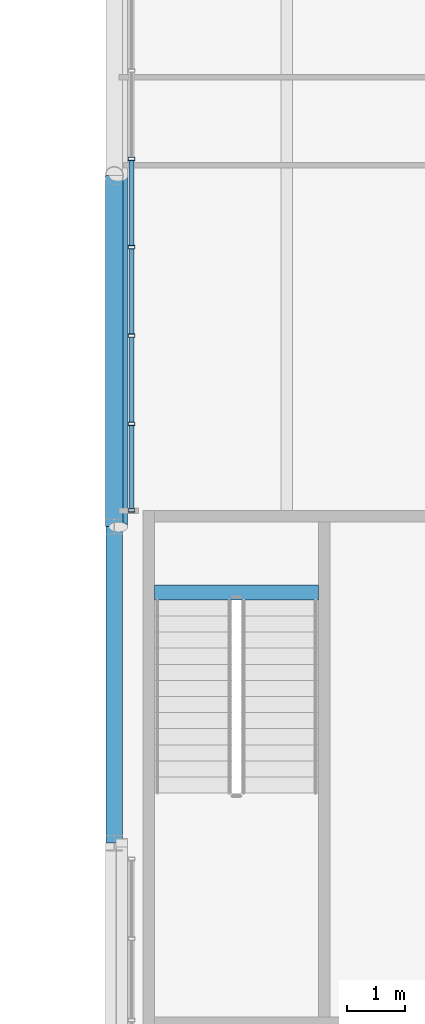
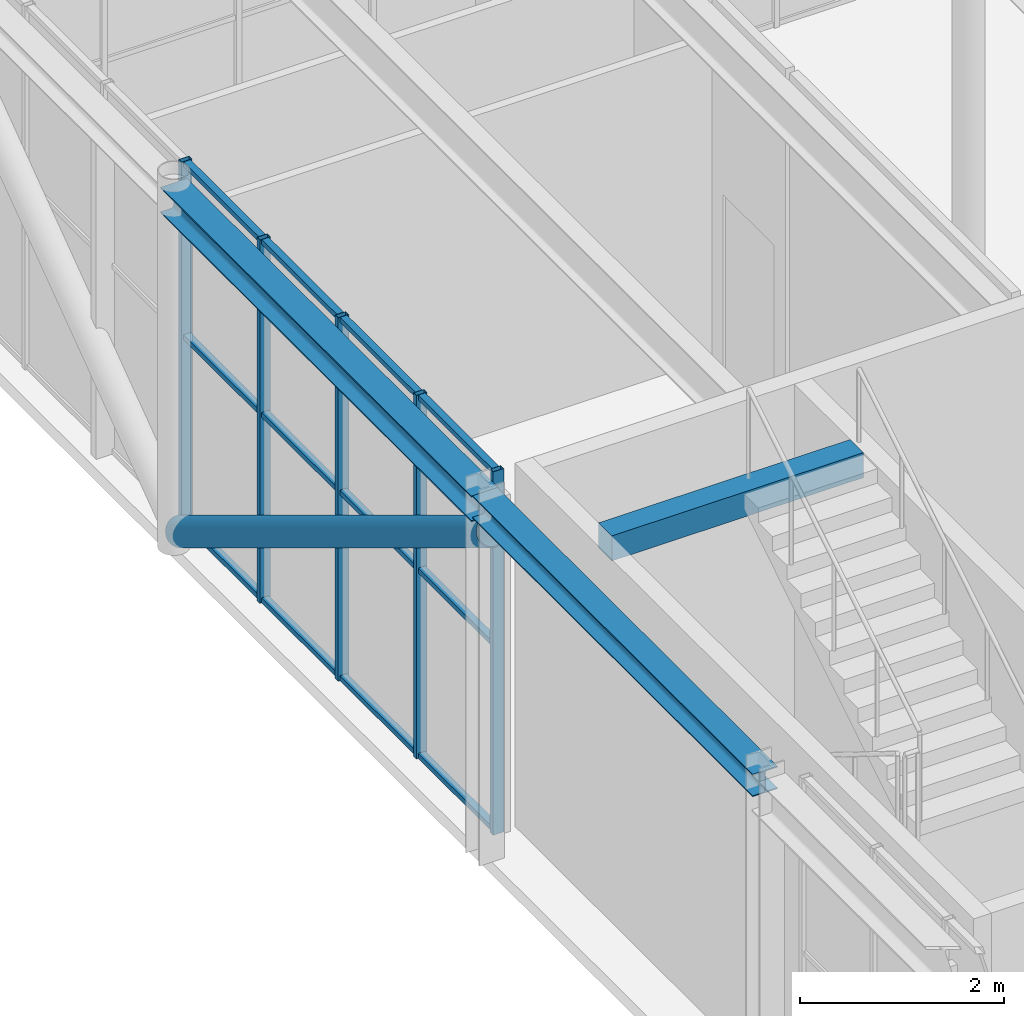
# One storey, part 21 of 70: 18 members, 3 beams, 1 element without a shape of its own.
"""IFC4 building model written with IfcOpenShell, lengths in metres."""

from ifc_helpers import new_model, si_unit, direction, frame, origin, origin_2d, place, context, subcontext, project, spatial, rectangle, hollow_rectangle, hollow_circle, i_section, extrude, material, layer, layer_set, material_profile, profile_set, type_object, element, aggregate, save


model = new_model("IFC4")

# Units and contexts
model_context = context("Model", 3, precision=1e-05, world=origin(), true_north=direction((0.0, 1.0)))
body_context = subcontext(model_context, "Body", "Model", "MODEL_VIEW")
ifc_project = project(units=[si_unit("LENGTHUNIT", "METRE"), si_unit("AREAUNIT", "SQUARE_METRE"), si_unit("VOLUMEUNIT", "CUBIC_METRE"), si_unit("PLANEANGLEUNIT", "RADIAN"), si_unit("MASSUNIT", "GRAM", prefix="KILO")], contexts=[model_context])

# Site, building, storey
site_placement = place(None, origin())
site = spatial("IfcSite", under=ifc_project, at=site_placement, CompositionType="ELEMENT")
building_placement = place(site_placement, origin())
building = spatial("IfcBuilding", under=site, at=building_placement, Name="Kallimachos Central Library", CompositionType="ELEMENT")
storey_placement = place(building_placement, frame((0.0, 0.0, 18.89990234375)))
storey = spatial("IfcBuildingStorey", under=building, at=storey_placement, Name="L04", CompositionType="ELEMENT", Elevation=18.89990234375)

# Member
ifc_material_1 = material(Name="Steel S355J2H", Category="steel")
ifc_material_profile_1 = material_profile(ifc_material_1, hollow_circle(Radius=0.161865234375, WallThickness=0.012451171875, at=origin_2d()), Name="CHS 323.9x12.5")
ifc_profile_set_1 = profile_set([ifc_material_profile_1], Name="Steel S355J2H")
member_type_1 = type_object("IfcMemberType", Name="CHS 323.9x12.5 brace", PredefinedType="BRACE", material=ifc_profile_set_1)
member_1_placement = place(storey_placement, frame((65.572998046875, 110.5, 3.85009765625), z_axis=(0.0, 0.855016223334, -0.518601251286), x_axis=(-1.0, 0.0, 0.0)))
element("IfcMember", 1, at=member_1_placement, inside=storey, type_object=member_type_1, Name="Cantilever truss diagonal 65.5 L04.1", PredefinedType="BRACE", context=body_context, shape_type="SweptSolid", body=[
    extrude(hollow_circle(Radius=0.161865234375, WallThickness=0.012451171875, at=origin_2d()), origin(), (0.0, 0.0, 1.0), 7.134521484375),
])

# Curtain wall, members
ifc_material_2 = material(Name="Anodised aluminium and laminated glass", Category="aluminium")
ifc_layer = layer(ifc_material_2, 0.159912109375)
ifc_layer_set = layer_set([ifc_layer], Name="Glass box curtain wall")
curtain_wall_type = type_object("IfcCurtainWallType", Name="Glass box curtain wall", PredefinedType="NOTDEFINED", material=ifc_layer_set)
curtain_wall_placement = place(storey_placement, origin())
curtain_wall = element("IfcCurtainWall", 2, at=curtain_wall_placement, inside=storey, type_object=curtain_wall_type, Name="Glass box curtain wall W L04", PredefinedType="NOTDEFINED")
ifc_material_3 = material(Name="Anodised aluminium", Category="aluminium")
ifc_material_profile_2 = material_profile(ifc_material_3, hollow_rectangle(XDim=0.06005859375, YDim=0.1201171875, WallThickness=0.00390625, at=origin_2d()), Name="ALU MULLION 60x120")
ifc_profile_set_2 = profile_set([ifc_material_profile_2], Name="Anodised aluminium")
member_type_2 = type_object("IfcMemberType", Name="Glass box mullion 60x120", PredefinedType="MULLION", material=ifc_profile_set_2)
member_2_placement = place(storey_placement, frame((65.800048828125, 110.780029296875, 0.0), z_axis=(0.0, 0.0, 1.0), x_axis=(0.0, 1.0, 0.0)))
member_2 = element("IfcMember", 3, at=member_2_placement, type_object=member_type_2, Name="CW31 mullion 1", PredefinedType="MULLION", context=body_context, shape_type="SweptSolid", body=[
    extrude(hollow_rectangle(XDim=0.06005859375, YDim=0.1201171875, WallThickness=0.00390625, at=origin_2d()), origin(), (0.0, 0.0, 1.0), 4.35009765625),
])
member_3_placement = place(storey_placement, frame((65.800048828125, 112.28564453125, 0.0), z_axis=(0.0, 0.0, 1.0), x_axis=(0.0, 1.0, 0.0)))
member_3 = element("IfcMember", 4, at=member_3_placement, type_object=member_type_2, Name="CW31 mullion 2", PredefinedType="MULLION", context=body_context, shape_type="SweptSolid", body=[
    extrude(hollow_rectangle(XDim=0.06005859375, YDim=0.1201171875, WallThickness=0.00390625, at=origin_2d()), origin(), (0.0, 0.0, 1.0), 4.35009765625),
])
member_4_placement = place(storey_placement, frame((65.800048828125, 113.821533203125, 0.0), z_axis=(0.0, 0.0, 1.0), x_axis=(0.0, 1.0, 0.0)))
member_4 = element("IfcMember", 5, at=member_4_placement, type_object=member_type_2, Name="CW31 mullion 3", PredefinedType="MULLION", context=body_context, shape_type="SweptSolid", body=[
    extrude(hollow_rectangle(XDim=0.06005859375, YDim=0.1201171875, WallThickness=0.00390625, at=origin_2d()), origin(), (0.0, 0.0, 1.0), 4.35009765625),
])
member_5_placement = place(storey_placement, frame((65.800048828125, 115.357177734375, 0.0), z_axis=(0.0, 0.0, 1.0), x_axis=(0.0, 1.0, 0.0)))
member_5 = element("IfcMember", 6, at=member_5_placement, type_object=member_type_2, Name="CW31 mullion 4", PredefinedType="MULLION", context=body_context, shape_type="SweptSolid", body=[
    extrude(hollow_rectangle(XDim=0.06005859375, YDim=0.1201171875, WallThickness=0.00390625, at=origin_2d()), origin(), (0.0, 0.0, 1.0), 4.35009765625),
])
member_6_placement = place(storey_placement, frame((65.800048828125, 116.892822265625, 0.0), z_axis=(0.0, 0.0, 1.0), x_axis=(0.0, 1.0, 0.0)))
member_6 = element("IfcMember", 7, at=member_6_placement, type_object=member_type_2, Name="CW31 mullion 5", PredefinedType="MULLION", context=body_context, shape_type="SweptSolid", body=[
    extrude(hollow_rectangle(XDim=0.06005859375, YDim=0.1201171875, WallThickness=0.00390625, at=origin_2d()), origin(), (0.0, 0.0, 1.0), 4.35009765625),
])
ifc_material_4 = material(Name="Anodised aluminium", Category="aluminium")
ifc_material_profile_3 = material_profile(ifc_material_4, hollow_rectangle(XDim=0.06005859375, YDim=0.080078125, WallThickness=0.00390625, at=origin_2d()), Name="ALU TRANSOM 60x80")
ifc_profile_set_3 = profile_set([ifc_material_profile_3], Name="Anodised aluminium")
member_type_3 = type_object("IfcMemberType", Name="Glass box transom 60x80", PredefinedType="USERDEFINED", material=ifc_profile_set_3)
member_7_placement = place(storey_placement, frame((65.800048828125, 110.81005859375, 0.030029296875), z_axis=(0.0, 1.0, 0.0), x_axis=(0.0, 0.0, 1.0)))
member_7 = element("IfcMember", 8, at=member_7_placement, type_object=member_type_3, Name="CW31 transom 1.1", ObjectType="TRANSOM", PredefinedType="USERDEFINED", context=body_context, shape_type="SweptSolid", body=[
    extrude(hollow_rectangle(XDim=0.06005859375, YDim=0.080078125, WallThickness=0.00390625, at=origin_2d()), origin(), (0.0, 0.0, 1.0), 1.445556640625),
])
member_8_placement = place(storey_placement, frame((65.800048828125, 110.81005859375, 2.25), z_axis=(0.0, 1.0, 0.0), x_axis=(0.0, 0.0, 1.0)))
member_8 = element("IfcMember", 9, at=member_8_placement, type_object=member_type_3, Name="CW31 transom 1.2", ObjectType="TRANSOM", PredefinedType="USERDEFINED", context=body_context, shape_type="SweptSolid", body=[
    extrude(hollow_rectangle(XDim=0.06005859375, YDim=0.080078125, WallThickness=0.00390625, at=origin_2d()), origin(), (0.0, 0.0, 1.0), 1.445556640625),
])
member_9_placement = place(storey_placement, frame((65.800048828125, 110.81005859375, 4.320068359375), z_axis=(0.0, 1.0, 0.0), x_axis=(0.0, 0.0, 1.0)))
member_9 = element("IfcMember", 10, at=member_9_placement, type_object=member_type_3, Name="CW31 transom 1.3", ObjectType="TRANSOM", PredefinedType="USERDEFINED", context=body_context, shape_type="SweptSolid", body=[
    extrude(hollow_rectangle(XDim=0.06005859375, YDim=0.080078125, WallThickness=0.00390625, at=origin_2d()), origin(), (0.0, 0.0, 1.0), 1.445556640625),
])
member_10_placement = place(storey_placement, frame((65.800048828125, 112.315673828125, 0.030029296875), z_axis=(0.0, 1.0, 0.0), x_axis=(0.0, 0.0, 1.0)))
member_10 = element("IfcMember", 11, at=member_10_placement, type_object=member_type_3, Name="CW31 transom 2.1", ObjectType="TRANSOM", PredefinedType="USERDEFINED", context=body_context, shape_type="SweptSolid", body=[
    extrude(hollow_rectangle(XDim=0.06005859375, YDim=0.080078125, WallThickness=0.00390625, at=origin_2d()), origin(), (0.0, 0.0, 1.0), 1.475830078125),
])
member_11_placement = place(storey_placement, frame((65.800048828125, 112.315673828125, 2.25), z_axis=(0.0, 1.0, 0.0), x_axis=(0.0, 0.0, 1.0)))
member_11 = element("IfcMember", 12, at=member_11_placement, type_object=member_type_3, Name="CW31 transom 2.2", ObjectType="TRANSOM", PredefinedType="USERDEFINED", context=body_context, shape_type="SweptSolid", body=[
    extrude(hollow_rectangle(XDim=0.06005859375, YDim=0.080078125, WallThickness=0.00390625, at=origin_2d()), origin(), (0.0, 0.0, 1.0), 1.475830078125),
])
member_12_placement = place(storey_placement, frame((65.800048828125, 112.315673828125, 4.320068359375), z_axis=(0.0, 1.0, 0.0), x_axis=(0.0, 0.0, 1.0)))
member_12 = element("IfcMember", 13, at=member_12_placement, type_object=member_type_3, Name="CW31 transom 2.3", ObjectType="TRANSOM", PredefinedType="USERDEFINED", context=body_context, shape_type="SweptSolid", body=[
    extrude(hollow_rectangle(XDim=0.06005859375, YDim=0.080078125, WallThickness=0.00390625, at=origin_2d()), origin(), (0.0, 0.0, 1.0), 1.475830078125),
])
member_13_placement = place(storey_placement, frame((65.800048828125, 113.851318359375, 0.030029296875), z_axis=(0.0, 1.0, 0.0), x_axis=(0.0, 0.0, 1.0)))
member_13 = element("IfcMember", 14, at=member_13_placement, type_object=member_type_3, Name="CW31 transom 3.1", ObjectType="TRANSOM", PredefinedType="USERDEFINED", context=body_context, shape_type="SweptSolid", body=[
    extrude(hollow_rectangle(XDim=0.06005859375, YDim=0.080078125, WallThickness=0.00390625, at=origin_2d()), origin(), (0.0, 0.0, 1.0), 1.475830078125),
])
member_14_placement = place(storey_placement, frame((65.800048828125, 113.851318359375, 2.25), z_axis=(0.0, 1.0, 0.0), x_axis=(0.0, 0.0, 1.0)))
member_14 = element("IfcMember", 15, at=member_14_placement, type_object=member_type_3, Name="CW31 transom 3.2", ObjectType="TRANSOM", PredefinedType="USERDEFINED", context=body_context, shape_type="SweptSolid", body=[
    extrude(hollow_rectangle(XDim=0.06005859375, YDim=0.080078125, WallThickness=0.00390625, at=origin_2d()), origin(), (0.0, 0.0, 1.0), 1.475830078125),
])
member_15_placement = place(storey_placement, frame((65.800048828125, 113.851318359375, 4.320068359375), z_axis=(0.0, 1.0, 0.0), x_axis=(0.0, 0.0, 1.0)))
member_15 = element("IfcMember", 16, at=member_15_placement, type_object=member_type_3, Name="CW31 transom 3.3", ObjectType="TRANSOM", PredefinedType="USERDEFINED", context=body_context, shape_type="SweptSolid", body=[
    extrude(hollow_rectangle(XDim=0.06005859375, YDim=0.080078125, WallThickness=0.00390625, at=origin_2d()), origin(), (0.0, 0.0, 1.0), 1.475830078125),
])
member_16_placement = place(storey_placement, frame((65.800048828125, 115.38720703125, 0.030029296875), z_axis=(0.0, 1.0, 0.0), x_axis=(0.0, 0.0, 1.0)))
member_16 = element("IfcMember", 17, at=member_16_placement, type_object=member_type_3, Name="CW31 transom 4.1", ObjectType="TRANSOM", PredefinedType="USERDEFINED", context=body_context, shape_type="SweptSolid", body=[
    extrude(hollow_rectangle(XDim=0.06005859375, YDim=0.080078125, WallThickness=0.00390625, at=origin_2d()), origin(), (0.0, 0.0, 1.0), 1.4755859375),
])
member_17_placement = place(storey_placement, frame((65.800048828125, 115.38720703125, 2.25), z_axis=(0.0, 1.0, 0.0), x_axis=(0.0, 0.0, 1.0)))
member_17 = element("IfcMember", 18, at=member_17_placement, type_object=member_type_3, Name="CW31 transom 4.2", ObjectType="TRANSOM", PredefinedType="USERDEFINED", context=body_context, shape_type="SweptSolid", body=[
    extrude(hollow_rectangle(XDim=0.06005859375, YDim=0.080078125, WallThickness=0.00390625, at=origin_2d()), origin(), (0.0, 0.0, 1.0), 1.4755859375),
])
member_18_placement = place(storey_placement, frame((65.800048828125, 115.38720703125, 4.320068359375), z_axis=(0.0, 1.0, 0.0), x_axis=(0.0, 0.0, 1.0)))
member_18 = element("IfcMember", 19, at=member_18_placement, type_object=member_type_3, Name="CW31 transom 4.3", ObjectType="TRANSOM", PredefinedType="USERDEFINED", context=body_context, shape_type="SweptSolid", body=[
    extrude(hollow_rectangle(XDim=0.06005859375, YDim=0.080078125, WallThickness=0.00390625, at=origin_2d()), origin(), (0.0, 0.0, 1.0), 1.4755859375),
])
aggregate(curtain_wall, [member_2, member_3, member_4, member_5, member_6, member_7, member_8, member_9, member_10, member_11, member_12, member_13, member_14, member_15, member_16, member_17, member_18])

# Beams
ifc_material_5 = material(Name="Steel S355J2", Category="steel")
ifc_material_profile_4 = material_profile(ifc_material_5, i_section(OverallWidth=0.280029296875, OverallDepth=0.27001953125, WebThickness=0.008056640625, FlangeThickness=0.012939453125, FilletRadius=0.02392578125, at=origin_2d()), Name="HEA 280")
ifc_profile_set_4 = profile_set([ifc_material_profile_4], Name="Steel S355J2")
beam_type_1 = type_object("IfcBeamType", Name="HEA 280 beam", PredefinedType="BEAM", material=ifc_profile_set_4)
beam_1_placement = place(storey_placement, frame((65.5, 105.0, 4.215087890625), z_axis=(0.0, 1.0, 0.0), x_axis=(-1.0, 0.0, 0.0)))
element("IfcBeam", 20, at=beam_1_placement, inside=storey, type_object=beam_type_1, Name="V1-BEM-L04-022", PredefinedType="BEAM", context=body_context, shape_type="SweptSolid", body=[
    extrude(i_section(OverallWidth=0.280029296875, OverallDepth=0.27001953125, WebThickness=0.008056640625, FlangeThickness=0.012939453125, FilletRadius=0.02392578125, at=origin_2d()), origin(), (0.0, 0.0, 1.0), 5.5),
])
ifc_material_6 = material(Name="Steel S355J2", Category="steel")
ifc_material_profile_5 = material_profile(ifc_material_6, i_section(OverallWidth=0.300048828125, OverallDepth=0.31005859375, WebThickness=0.009033203125, FlangeThickness=0.015380859375, FilletRadius=0.027099609375, at=origin_2d()), Name="HEA 320")
ifc_profile_set_5 = profile_set([ifc_material_profile_5], Name="Steel S355J2")
beam_type_2 = type_object("IfcBeamType", Name="HEA 320 beam", PredefinedType="BEAM", material=ifc_profile_set_5)
beam_2_placement = place(storey_placement, frame((65.5, 110.5, 4.195068359375), z_axis=(0.0, 1.0, 0.0), x_axis=(-1.0, 0.0, 0.0)))
element("IfcBeam", 21, at=beam_2_placement, inside=storey, type_object=beam_type_2, Name="V1-BEM-L04-023", PredefinedType="BEAM", context=body_context, shape_type="SweptSolid", body=[
    extrude(i_section(OverallWidth=0.300048828125, OverallDepth=0.31005859375, WebThickness=0.009033203125, FlangeThickness=0.015380859375, FilletRadius=0.027099609375, at=origin_2d()), origin(), (0.0, 0.0, 1.0), 6.10009765625),
])
ifc_material_7 = material(Name="Concrete C30/37", Category="concrete")
ifc_material_profile_6 = material_profile(ifc_material_7, rectangle(XDim=0.260009765625, YDim=0.300048828125, at=origin_2d()), Name="RC stair trimmer beam 260 x 300")
ifc_profile_set_6 = profile_set([ifc_material_profile_6], Name="Concrete C30/37")
beam_type_3 = type_object("IfcBeamType", Name="RC stair trimmer beam 260 x 300", PredefinedType="BEAM", material=ifc_profile_set_6)
beam_3_placement = place(storey_placement, frame((66.199951171875, 109.35107421875, 4.2001953125), z_axis=(1.0, 0.0, 0.0), x_axis=(0.0, 1.0, 0.0)))
element("IfcBeam", 22, at=beam_3_placement, inside=storey, type_object=beam_type_3, Name="Stair trimmer beam ST3 L04", PredefinedType="BEAM", context=body_context, shape_type="SweptSolid", body=[
    extrude(rectangle(XDim=0.260009765625, YDim=0.300048828125, at=origin_2d()), origin(), (0.0, 0.0, 1.0), 2.85009765625),
])

save(model, "model.ifc")
